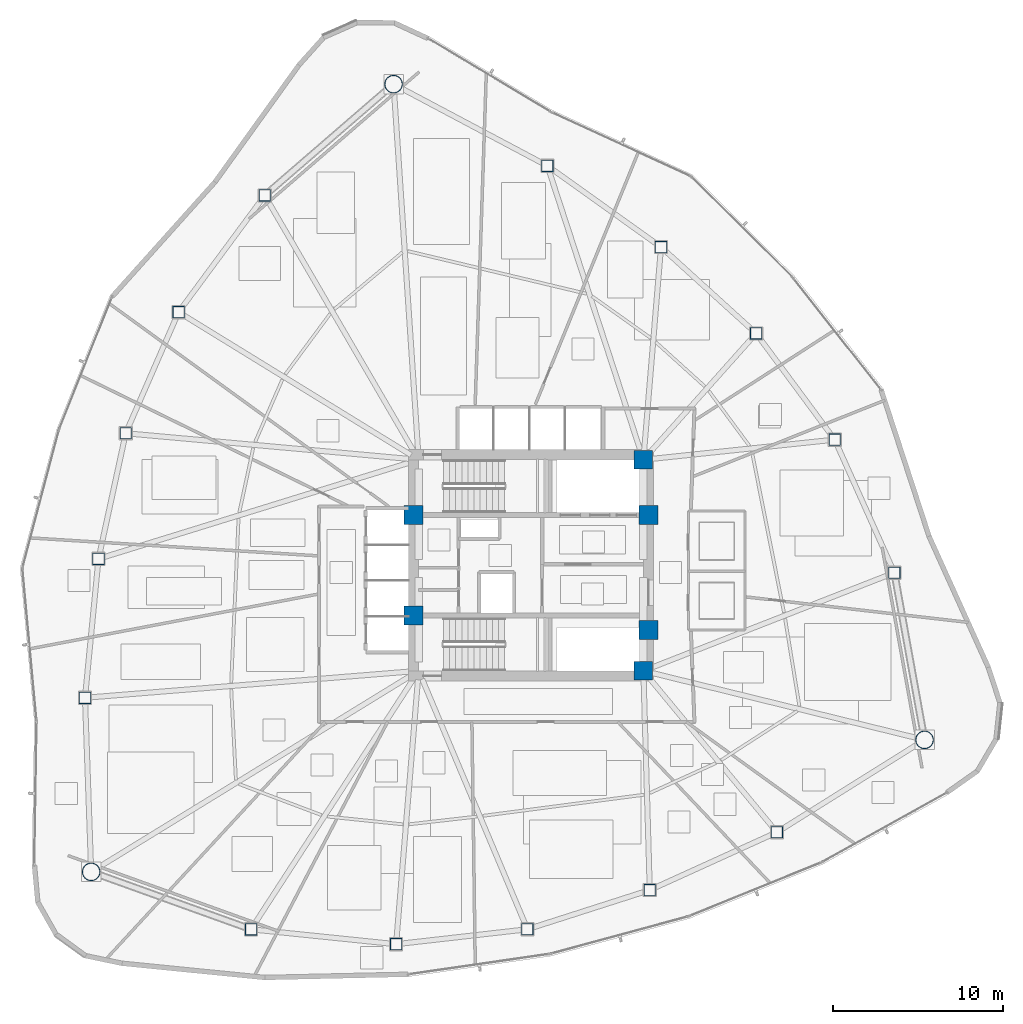
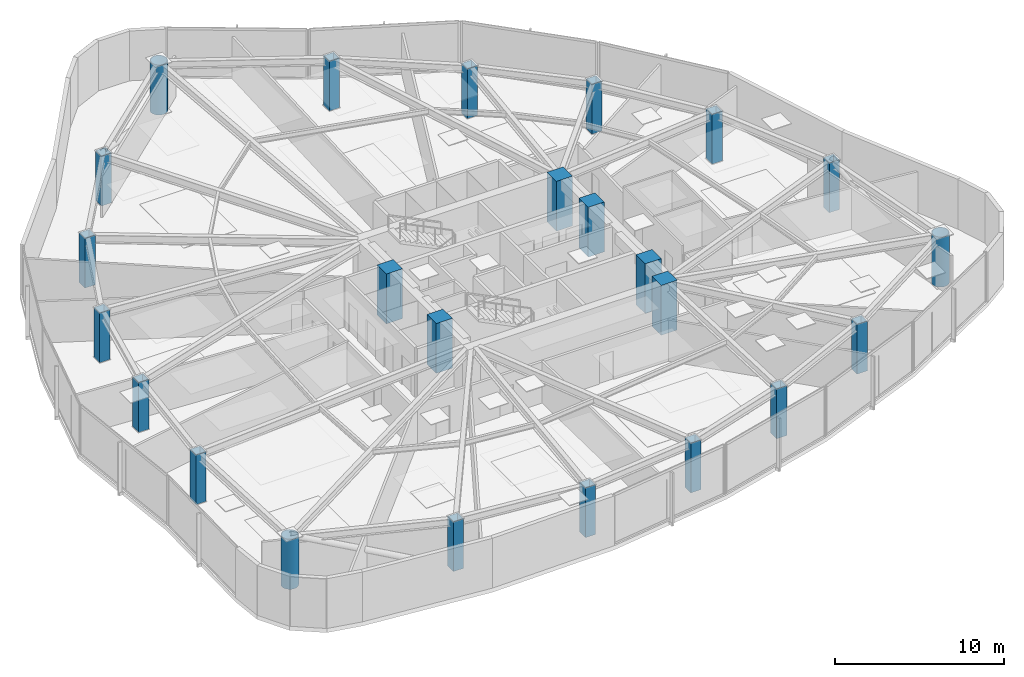
# One storey, part 1 of 17: 24 columns.
"""IFC4 building model written with IfcOpenShell, lengths in metres."""

from ifc_helpers import new_model, si_unit, direction, frame, origin, origin_2d, place, context, subcontext, project, spatial, rectangle, hollow_rectangle, hollow_circle, extrude, material, material_profile, profile_set, type_object, element, save


model = new_model("IFC4")

# Units and contexts
model_context = context("Model", 3, precision=1e-05, world=origin(), true_north=direction((0.0, 1.0)))
body_context = subcontext(model_context, "Body", "Model", "MODEL_VIEW")
ifc_project = project(units=[si_unit("LENGTHUNIT", "METRE"), si_unit("AREAUNIT", "SQUARE_METRE"), si_unit("VOLUMEUNIT", "CUBIC_METRE"), si_unit("PLANEANGLEUNIT", "RADIAN"), si_unit("MASSUNIT", "GRAM", prefix="KILO")], contexts=[model_context])

# Site, building, storey
site_placement = place(None, origin())
site = spatial("IfcSite", under=ifc_project, at=site_placement, CompositionType="ELEMENT")
building_placement = place(site_placement, origin())
building = spatial("IfcBuilding", under=site, at=building_placement, Name="Tavelor Broadcast Tower", CompositionType="ELEMENT")
storey_placement = place(building_placement, frame((0.0, 0.0, 74.39990234375)))
storey = spatial("IfcBuildingStorey", under=building, at=storey_placement, Name="L17", CompositionType="ELEMENT", Elevation=74.39990234375)

# Columns
ifc_material_1 = material(Name="Concrete C60/75", Category="concrete")
ifc_material_profile_1 = material_profile(ifc_material_1, rectangle(XDim=1.10009765625, YDim=1.10009765625, at=origin_2d()), Name="RC 1100x1100")
ifc_profile_set_1 = profile_set([ifc_material_profile_1], Name="Concrete C60/75")
column_type_1 = type_object("IfcColumnType", Name="Core Embedded Composite Column RC1100", PredefinedType="COLUMN", material=ifc_profile_set_1)
for number, where, z_axis, x_axis, name in (
    (1, (43.10009765625, 47.949951171875, 0.0), (0.0, 0.0, 1.0), (1.0, 0.0, 0.0), "L17 Core Embedded Column 1"),
    (2, (56.89990234375, 47.949951171875, 0.0), (0.0, 0.0, 1.0), (1.0, 0.0, 0.0), "L17 Core Embedded Column 2"),
    (3, (56.60009765625, 51.199951171875, 0.0), (0.0, 0.0, 1.0), (1.0, 0.0, 0.0), "L17 Core Embedded Column 3"),
    (4, (43.10009765625, 42.050048828125, 0.0), (0.0, 0.0, 1.0), (1.0, 0.0, 0.0), "L17 Core Embedded Column 4"),
    (5, (56.89990234375, 41.199951171875, 0.0), (0.0, 0.0, 1.0), (1.0, 0.0, 0.0), "L17 Core Embedded Column 5"),
    (6, (56.60009765625, 38.800048828125, 0.0), (0.0, 0.0, 1.0), (1.0, 0.0, 0.0), "L17 Core Embedded Column 6"),
):
    element("IfcColumn", number, at=place(storey_placement, frame(where, z_axis=z_axis, x_axis=x_axis)), inside=storey, type_object=column_type_1, Name=name, PredefinedType="COLUMN", context=body_context, shape_type="SweptSolid", body=[
        extrude(rectangle(XDim=1.10009765625, YDim=1.10009765625, at=origin_2d()), origin(), (0.0, 0.0, 1.0), 3.60009765625),
    ])
ifc_material_2 = material(Name="Steel S460", Category="steel")
ifc_material_profile_2 = material_profile(ifc_material_2, hollow_rectangle(XDim=0.699951171875, YDim=0.699951171875, WallThickness=0.0400390625, at=origin_2d()), Name="SHS 700x700x40")
ifc_profile_set_2 = profile_set([ifc_material_profile_2], Name="Steel S460")
column_type_2 = type_object("IfcColumnType", Name="Perimeter Tube Column T2 SHS 700x700x40", PredefinedType="COLUMN", material=ifc_profile_set_2)
for number, where, z_axis, x_axis, name in (
    (7, (34.356201171875, 66.727783203125, 0.0), (0.0, 0.0, 1.0), (1.0, 0.0, 0.0), "L17 Perimeter Framed-Tube Column 02"),
    (8, (29.292236328125, 59.87158203125, 0.0), (0.0, 0.0, 1.0), (1.0, 0.0, 0.0), "L17 Perimeter Framed-Tube Column 03"),
    (9, (26.189208984375, 52.75830078125, 0.0), (0.0, 0.0, 1.0), (1.0, 0.0, 0.0), "L17 Perimeter Framed-Tube Column 04"),
    (10, (24.58984375, 45.380615234375, 0.0), (0.0, 0.0, 1.0), (1.0, 0.0, 0.0), "L17 Perimeter Framed-Tube Column 05"),
    (11, (23.794677734375, 37.21630859375, 0.0), (0.0, 0.0, 1.0), (1.0, 0.0, 0.0), "L17 Perimeter Framed-Tube Column 06"),
    (12, (33.55078125, 23.615478515625, 0.0), (0.0, 0.0, 1.0), (1.0, 0.0, 0.0), "L17 Perimeter Framed-Tube Column 08"),
    (13, (42.0732421875, 22.740478515625, 0.0), (0.0, 0.0, 1.0), (1.0, 0.0, 0.0), "L17 Perimeter Framed-Tube Column 09"),
    (14, (49.78662109375, 23.617919921875, 0.0), (0.0, 0.0, 1.0), (1.0, 0.0, 0.0), "L17 Perimeter Framed-Tube Column 10"),
    (15, (56.975341796875, 25.92138671875, 0.0), (0.0, 0.0, 1.0), (1.0, 0.0, 0.0), "L17 Perimeter Framed-Tube Column 11"),
    (16, (64.443603515625, 29.31494140625, 0.0), (0.0, 0.0, 1.0), (1.0, 0.0, 0.0), "L17 Perimeter Framed-Tube Column 12"),
    (17, (71.343994140625, 44.564697265625, 0.0), (0.0, 0.0, 1.0), (1.0, 0.0, 0.0), "L17 Perimeter Framed-Tube Column 14"),
    (18, (67.8408203125, 52.382568359375, 0.0), (0.0, 0.0, 1.0), (1.0, 0.0, 0.0), "L17 Perimeter Framed-Tube Column 15"),
    (19, (63.22412109375, 58.623779296875, 0.0), (0.0, 0.0, 1.0), (1.0, 0.0, 0.0), "L17 Perimeter Framed-Tube Column 16"),
    (20, (57.634765625, 63.69775390625, 0.0), (0.0, 0.0, 1.0), (1.0, 0.0, 0.0), "L17 Perimeter Framed-Tube Column 17"),
    (21, (50.9619140625, 68.468505859375, 0.0), (0.0, 0.0, 1.0), (1.0, 0.0, 0.0), "L17 Perimeter Framed-Tube Column 18"),
):
    element("IfcColumn", number, at=place(storey_placement, frame(where, z_axis=z_axis, x_axis=x_axis)), inside=storey, type_object=column_type_2, Name=name, PredefinedType="COLUMN", context=body_context, shape_type="SweptSolid", body=[
        extrude(hollow_rectangle(XDim=0.699951171875, YDim=0.699951171875, WallThickness=0.0400390625, at=origin_2d()), origin(), (0.0, 0.0, 1.0), 3.60009765625),
    ])
ifc_material_profile_3 = material_profile(ifc_material_2, hollow_circle(Radius=0.533447265625, WallThickness=0.044921875, at=origin_2d()), Name="CHS 1067x45")
ifc_profile_set_3 = profile_set([ifc_material_profile_3], Name="Steel S460")
column_type_3 = type_object("IfcColumnType", Name="Tower Mega Column T2 CHS 1067x45", PredefinedType="COLUMN", material=ifc_profile_set_3)
for number, where, z_axis, x_axis, name in (
    (22, (41.923095703125, 73.266357421875, 0.0), (0.0, 0.0, 1.0), (1.0, 0.0, 0.0), "L17 Tower Corner Mega Column 01"),
    (23, (24.1591796875, 26.98974609375, 0.0), (0.0, 0.0, 1.0), (1.0, 0.0, 0.0), "L17 Tower Corner Mega Column 07"),
    (24, (73.117919921875, 34.743896484375, 0.0), (0.0, 0.0, 1.0), (1.0, 0.0, 0.0), "L17 Tower Corner Mega Column 13"),
):
    element("IfcColumn", number, at=place(storey_placement, frame(where, z_axis=z_axis, x_axis=x_axis)), inside=storey, type_object=column_type_3, Name=name, PredefinedType="COLUMN", context=body_context, shape_type="SweptSolid", body=[
        extrude(hollow_circle(Radius=0.533447265625, WallThickness=0.044921875, at=origin_2d()), origin(), (0.0, 0.0, 1.0), 3.60009765625),
    ])

save(model, "model.ifc")
